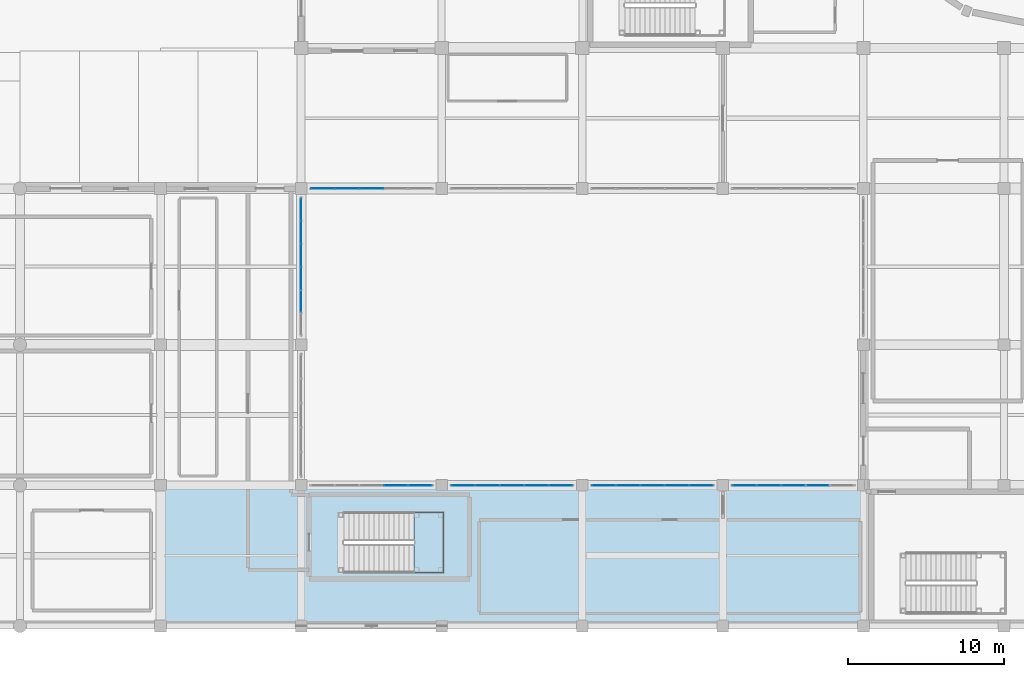
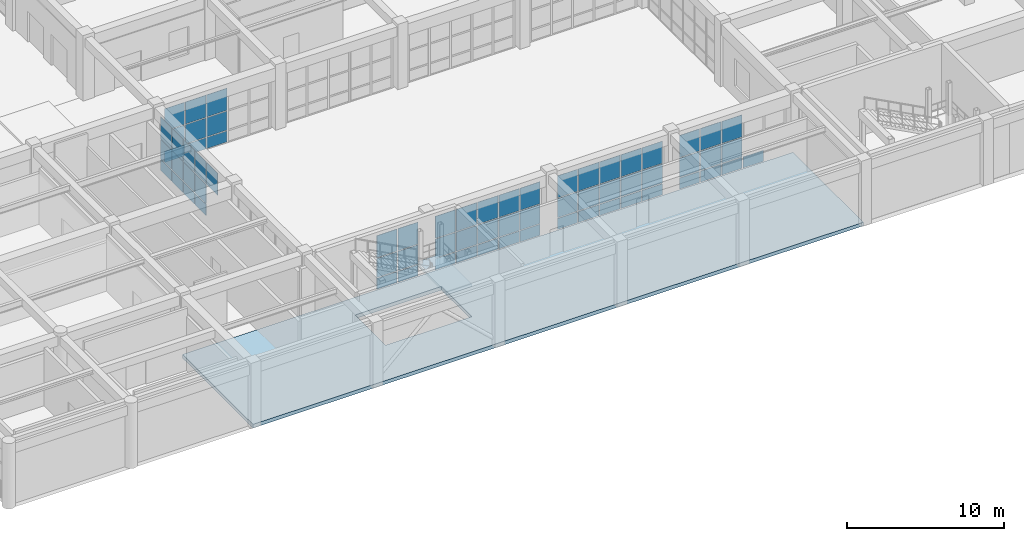
# One storey, part 85 of 128: 68 plates, 2 slabs, 7 elements without a shape of their own.
"""IFC4 building model written with IfcOpenShell, lengths in metres."""

from ifc_helpers import new_model, si_unit, direction, frame, origin, origin_2d, place, context, subcontext, project, spatial, polyline, rectangle, outline, extrude, material, layer, layer_set, type_object, element, aggregate, save


model = new_model("IFC4")

# Units and contexts
model_context = context("Model", 3, precision=1e-05, world=origin(), true_north=direction((0.0, 1.0)))
body_context = subcontext(model_context, "Body", "Model", "MODEL_VIEW")
ifc_project = project(units=[si_unit("LENGTHUNIT", "METRE"), si_unit("AREAUNIT", "SQUARE_METRE"), si_unit("VOLUMEUNIT", "CUBIC_METRE"), si_unit("PLANEANGLEUNIT", "RADIAN"), si_unit("MASSUNIT", "GRAM", prefix="KILO")], contexts=[model_context])

# Site, building, storey
site_placement = place(None, origin())
site = spatial("IfcSite", under=ifc_project, at=site_placement, CompositionType="ELEMENT")
building_placement = place(site_placement, origin())
building = spatial("IfcBuilding", under=site, at=building_placement, Name="Miravela Opera House", CompositionType="ELEMENT")
storey_placement = place(building_placement, origin())
storey = spatial("IfcBuildingStorey", under=building, at=storey_placement, Name="L00", CompositionType="ELEMENT", Elevation=0.0)

# Curtain wall, plates
ifc_material_1 = material(Name="Anodised architectural bronze aluminium 6063-T6", Category="aluminium")
curtain_wall_type = type_object("IfcCurtainWallType", Name="ARC-CW-06", PredefinedType="NOTDEFINED", material=ifc_material_1)
curtain_wall_1_placement = place(storey_placement, origin())
curtain_wall_1 = element("IfcCurtainWall", 1, at=curtain_wall_1_placement, inside=storey, type_object=curtain_wall_type, Name="Courtyard Arcade Curtain Wall CW-L00-113", PredefinedType="NOTDEFINED")
ifc_material_2 = material(Name="Acoustic laminated low-E insulating glass", Category="glass")
ifc_layer_1 = layer(ifc_material_2, 0.028076171875)
ifc_layer_set_1 = layer_set([ifc_layer_1])
plate_type = type_object("IfcPlateType", Name="ARC-CWP-28", PredefinedType="CURTAIN_PANEL", material=ifc_layer_set_1)
plate_1_placement = place(storey_placement, frame((28.37890625, 28.0, 0.06005859375), z_axis=(0.0, 0.0, 1.0), x_axis=(1.0, 0.0, 0.0)))
plate_1 = element("IfcPlate", 2, at=plate_1_placement, type_object=plate_type, Name="CW-06 panel 1.1", PredefinedType="CURTAIN_PANEL", context=body_context, shape_type="SweptSolid", body=[
    extrude(rectangle(XDim=1.47802734375, YDim=0.028076171875, at=origin_2d()), origin(), (0.0, 0.0, 1.0), 0.860107421875),
])
plate_2_placement = place(storey_placement, frame((28.37890625, 28.0, 0.97998046875), z_axis=(0.0, 0.0, 1.0), x_axis=(1.0, 0.0, 0.0)))
plate_2 = element("IfcPlate", 3, at=plate_2_placement, type_object=plate_type, Name="CW-06 panel 1.2", PredefinedType="CURTAIN_PANEL", context=body_context, shape_type="SweptSolid", body=[
    extrude(rectangle(XDim=1.47802734375, YDim=0.028076171875, at=origin_2d()), origin(), (0.0, 0.0, 1.0), 1.48388671875),
])
plate_3_placement = place(storey_placement, frame((28.37890625, 28.0, 2.52392578125), z_axis=(0.0, 0.0, 1.0), x_axis=(1.0, 0.0, 0.0)))
plate_3 = element("IfcPlate", 4, at=plate_3_placement, type_object=plate_type, Name="CW-06 panel 1.3", PredefinedType="CURTAIN_PANEL", context=body_context, shape_type="SweptSolid", body=[
    extrude(rectangle(XDim=1.47802734375, YDim=0.028076171875, at=origin_2d()), origin(), (0.0, 0.0, 1.0), 1.716064453125),
])
plate_4_placement = place(storey_placement, frame((29.931884765625, 28.0, 0.06005859375), z_axis=(0.0, 0.0, 1.0), x_axis=(1.0, 0.0, 0.0)))
plate_4 = element("IfcPlate", 5, at=plate_4_placement, type_object=plate_type, Name="CW-06 panel 2.1", PredefinedType="CURTAIN_PANEL", context=body_context, shape_type="SweptSolid", body=[
    extrude(rectangle(XDim=1.508056640625, YDim=0.028076171875, at=origin_2d()), origin(), (0.0, 0.0, 1.0), 0.860107421875),
])
plate_5_placement = place(storey_placement, frame((29.931884765625, 28.0, 0.97998046875), z_axis=(0.0, 0.0, 1.0), x_axis=(1.0, 0.0, 0.0)))
plate_5 = element("IfcPlate", 6, at=plate_5_placement, type_object=plate_type, Name="CW-06 panel 2.2", PredefinedType="CURTAIN_PANEL", context=body_context, shape_type="SweptSolid", body=[
    extrude(rectangle(XDim=1.508056640625, YDim=0.028076171875, at=origin_2d()), origin(), (0.0, 0.0, 1.0), 1.48388671875),
])
plate_6_placement = place(storey_placement, frame((29.931884765625, 28.0, 2.52392578125), z_axis=(0.0, 0.0, 1.0), x_axis=(1.0, 0.0, 0.0)))
plate_6 = element("IfcPlate", 7, at=plate_6_placement, type_object=plate_type, Name="CW-06 panel 2.3", PredefinedType="CURTAIN_PANEL", context=body_context, shape_type="SweptSolid", body=[
    extrude(rectangle(XDim=1.508056640625, YDim=0.028076171875, at=origin_2d()), origin(), (0.0, 0.0, 1.0), 1.716064453125),
])
plate_7_placement = place(storey_placement, frame((31.5, 28.0, 0.06005859375), z_axis=(0.0, 0.0, 1.0), x_axis=(1.0, 0.0, 0.0)))
plate_7 = element("IfcPlate", 8, at=plate_7_placement, type_object=plate_type, Name="CW-06 panel 3.1", PredefinedType="CURTAIN_PANEL", context=body_context, shape_type="SweptSolid", body=[
    extrude(rectangle(XDim=1.508056640625, YDim=0.028076171875, at=origin_2d()), origin(), (0.0, 0.0, 1.0), 0.860107421875),
])
plate_8_placement = place(storey_placement, frame((31.5, 28.0, 0.97998046875), z_axis=(0.0, 0.0, 1.0), x_axis=(1.0, 0.0, 0.0)))
plate_8 = element("IfcPlate", 9, at=plate_8_placement, type_object=plate_type, Name="CW-06 panel 3.2", PredefinedType="CURTAIN_PANEL", context=body_context, shape_type="SweptSolid", body=[
    extrude(rectangle(XDim=1.508056640625, YDim=0.028076171875, at=origin_2d()), origin(), (0.0, 0.0, 1.0), 1.48388671875),
])
plate_9_placement = place(storey_placement, frame((31.5, 28.0, 2.52392578125), z_axis=(0.0, 0.0, 1.0), x_axis=(1.0, 0.0, 0.0)))
plate_9 = element("IfcPlate", 10, at=plate_9_placement, type_object=plate_type, Name="CW-06 panel 3.3", PredefinedType="CURTAIN_PANEL", context=body_context, shape_type="SweptSolid", body=[
    extrude(rectangle(XDim=1.508056640625, YDim=0.028076171875, at=origin_2d()), origin(), (0.0, 0.0, 1.0), 1.716064453125),
])
aggregate(curtain_wall_1, [plate_1, plate_2, plate_3, plate_4, plate_5, plate_6, plate_7, plate_8, plate_9])

curtain_wall_2_placement = place(storey_placement, origin())
curtain_wall_2 = element("IfcCurtainWall", 11, at=curtain_wall_2_placement, inside=storey, type_object=curtain_wall_type, Name="Courtyard Arcade Curtain Wall CW-L00-114", PredefinedType="NOTDEFINED")
plate_10_placement = place(storey_placement, frame((33.068115234375, 9.0, 0.06005859375), z_axis=(0.0, 0.0, 1.0), x_axis=(1.0, 0.0, 0.0)))
plate_10 = element("IfcPlate", 12, at=plate_10_placement, type_object=plate_type, Name="CW-06 panel 4.1", PredefinedType="CURTAIN_PANEL", context=body_context, shape_type="SweptSolid", body=[
    extrude(rectangle(XDim=1.508056640625, YDim=0.028076171875, at=origin_2d()), origin(), (0.0, 0.0, 1.0), 0.860107421875),
])
plate_11_placement = place(storey_placement, frame((33.068115234375, 9.0, 0.97998046875), z_axis=(0.0, 0.0, 1.0), x_axis=(1.0, 0.0, 0.0)))
plate_11 = element("IfcPlate", 13, at=plate_11_placement, type_object=plate_type, Name="CW-06 panel 4.2", PredefinedType="CURTAIN_PANEL", context=body_context, shape_type="SweptSolid", body=[
    extrude(rectangle(XDim=1.508056640625, YDim=0.028076171875, at=origin_2d()), origin(), (0.0, 0.0, 1.0), 1.48388671875),
])
plate_12_placement = place(storey_placement, frame((33.068115234375, 9.0, 2.52392578125), z_axis=(0.0, 0.0, 1.0), x_axis=(1.0, 0.0, 0.0)))
plate_12 = element("IfcPlate", 14, at=plate_12_placement, type_object=plate_type, Name="CW-06 panel 4.3", PredefinedType="CURTAIN_PANEL", context=body_context, shape_type="SweptSolid", body=[
    extrude(rectangle(XDim=1.508056640625, YDim=0.028076171875, at=origin_2d()), origin(), (0.0, 0.0, 1.0), 1.716064453125),
])
plate_13_placement = place(storey_placement, frame((34.62109375, 9.0, 0.06005859375), z_axis=(0.0, 0.0, 1.0), x_axis=(1.0, 0.0, 0.0)))
plate_13 = element("IfcPlate", 15, at=plate_13_placement, type_object=plate_type, Name="CW-06 panel 5.1", PredefinedType="CURTAIN_PANEL", context=body_context, shape_type="SweptSolid", body=[
    extrude(rectangle(XDim=1.47802734375, YDim=0.028076171875, at=origin_2d()), origin(), (0.0, 0.0, 1.0), 0.860107421875),
])
plate_14_placement = place(storey_placement, frame((34.62109375, 9.0, 0.97998046875), z_axis=(0.0, 0.0, 1.0), x_axis=(1.0, 0.0, 0.0)))
plate_14 = element("IfcPlate", 16, at=plate_14_placement, type_object=plate_type, Name="CW-06 panel 5.2", PredefinedType="CURTAIN_PANEL", context=body_context, shape_type="SweptSolid", body=[
    extrude(rectangle(XDim=1.47802734375, YDim=0.028076171875, at=origin_2d()), origin(), (0.0, 0.0, 1.0), 1.48388671875),
])
plate_15_placement = place(storey_placement, frame((34.62109375, 9.0, 2.52392578125), z_axis=(0.0, 0.0, 1.0), x_axis=(1.0, 0.0, 0.0)))
plate_15 = element("IfcPlate", 17, at=plate_15_placement, type_object=plate_type, Name="CW-06 panel 5.3", PredefinedType="CURTAIN_PANEL", context=body_context, shape_type="SweptSolid", body=[
    extrude(rectangle(XDim=1.47802734375, YDim=0.028076171875, at=origin_2d()), origin(), (0.0, 0.0, 1.0), 1.716064453125),
])
aggregate(curtain_wall_2, [plate_10, plate_11, plate_12, plate_13, plate_14, plate_15])

curtain_wall_3_placement = place(storey_placement, origin())
curtain_wall_3 = element("IfcCurtainWall", 18, at=curtain_wall_3_placement, inside=storey, type_object=curtain_wall_type, Name="Courtyard Arcade Curtain Wall CW-L00-116", PredefinedType="NOTDEFINED")
plate_16_placement = place(storey_placement, frame((37.37890625, 9.0, 0.06005859375), z_axis=(0.0, 0.0, 1.0), x_axis=(1.0, 0.0, 0.0)))
plate_16 = element("IfcPlate", 19, at=plate_16_placement, type_object=plate_type, Name="CW-06 panel 1.1", PredefinedType="CURTAIN_PANEL", context=body_context, shape_type="SweptSolid", body=[
    extrude(rectangle(XDim=1.47802734375, YDim=0.028076171875, at=origin_2d()), origin(), (0.0, 0.0, 1.0), 0.860107421875),
])
plate_17_placement = place(storey_placement, frame((37.37890625, 9.0, 0.97998046875), z_axis=(0.0, 0.0, 1.0), x_axis=(1.0, 0.0, 0.0)))
plate_17 = element("IfcPlate", 20, at=plate_17_placement, type_object=plate_type, Name="CW-06 panel 1.2", PredefinedType="CURTAIN_PANEL", context=body_context, shape_type="SweptSolid", body=[
    extrude(rectangle(XDim=1.47802734375, YDim=0.028076171875, at=origin_2d()), origin(), (0.0, 0.0, 1.0), 1.48388671875),
])
plate_18_placement = place(storey_placement, frame((37.37890625, 9.0, 2.52392578125), z_axis=(0.0, 0.0, 1.0), x_axis=(1.0, 0.0, 0.0)))
plate_18 = element("IfcPlate", 21, at=plate_18_placement, type_object=plate_type, Name="CW-06 panel 1.3", PredefinedType="CURTAIN_PANEL", context=body_context, shape_type="SweptSolid", body=[
    extrude(rectangle(XDim=1.47802734375, YDim=0.028076171875, at=origin_2d()), origin(), (0.0, 0.0, 1.0), 1.716064453125),
])
plate_19_placement = place(storey_placement, frame((38.931884765625, 9.0, 0.06005859375), z_axis=(0.0, 0.0, 1.0), x_axis=(1.0, 0.0, 0.0)))
plate_19 = element("IfcPlate", 22, at=plate_19_placement, type_object=plate_type, Name="CW-06 panel 2.1", PredefinedType="CURTAIN_PANEL", context=body_context, shape_type="SweptSolid", body=[
    extrude(rectangle(XDim=1.508056640625, YDim=0.028076171875, at=origin_2d()), origin(), (0.0, 0.0, 1.0), 0.860107421875),
])
plate_20_placement = place(storey_placement, frame((38.931884765625, 9.0, 0.97998046875), z_axis=(0.0, 0.0, 1.0), x_axis=(1.0, 0.0, 0.0)))
plate_20 = element("IfcPlate", 23, at=plate_20_placement, type_object=plate_type, Name="CW-06 panel 2.2", PredefinedType="CURTAIN_PANEL", context=body_context, shape_type="SweptSolid", body=[
    extrude(rectangle(XDim=1.508056640625, YDim=0.028076171875, at=origin_2d()), origin(), (0.0, 0.0, 1.0), 1.48388671875),
])
plate_21_placement = place(storey_placement, frame((38.931884765625, 9.0, 2.52392578125), z_axis=(0.0, 0.0, 1.0), x_axis=(1.0, 0.0, 0.0)))
plate_21 = element("IfcPlate", 24, at=plate_21_placement, type_object=plate_type, Name="CW-06 panel 2.3", PredefinedType="CURTAIN_PANEL", context=body_context, shape_type="SweptSolid", body=[
    extrude(rectangle(XDim=1.508056640625, YDim=0.028076171875, at=origin_2d()), origin(), (0.0, 0.0, 1.0), 1.716064453125),
])
plate_22_placement = place(storey_placement, frame((40.5, 9.0, 0.06005859375), z_axis=(0.0, 0.0, 1.0), x_axis=(1.0, 0.0, 0.0)))
plate_22 = element("IfcPlate", 25, at=plate_22_placement, type_object=plate_type, Name="CW-06 panel 3.1", PredefinedType="CURTAIN_PANEL", context=body_context, shape_type="SweptSolid", body=[
    extrude(rectangle(XDim=1.508056640625, YDim=0.028076171875, at=origin_2d()), origin(), (0.0, 0.0, 1.0), 0.860107421875),
])
plate_23_placement = place(storey_placement, frame((40.5, 9.0, 0.97998046875), z_axis=(0.0, 0.0, 1.0), x_axis=(1.0, 0.0, 0.0)))
plate_23 = element("IfcPlate", 26, at=plate_23_placement, type_object=plate_type, Name="CW-06 panel 3.2", PredefinedType="CURTAIN_PANEL", context=body_context, shape_type="SweptSolid", body=[
    extrude(rectangle(XDim=1.508056640625, YDim=0.028076171875, at=origin_2d()), origin(), (0.0, 0.0, 1.0), 1.48388671875),
])
plate_24_placement = place(storey_placement, frame((40.5, 9.0, 2.52392578125), z_axis=(0.0, 0.0, 1.0), x_axis=(1.0, 0.0, 0.0)))
plate_24 = element("IfcPlate", 27, at=plate_24_placement, type_object=plate_type, Name="CW-06 panel 3.3", PredefinedType="CURTAIN_PANEL", context=body_context, shape_type="SweptSolid", body=[
    extrude(rectangle(XDim=1.508056640625, YDim=0.028076171875, at=origin_2d()), origin(), (0.0, 0.0, 1.0), 1.716064453125),
])
plate_25_placement = place(storey_placement, frame((42.068115234375, 9.0, 0.06005859375), z_axis=(0.0, 0.0, 1.0), x_axis=(1.0, 0.0, 0.0)))
plate_25 = element("IfcPlate", 28, at=plate_25_placement, type_object=plate_type, Name="CW-06 panel 4.1", PredefinedType="CURTAIN_PANEL", context=body_context, shape_type="SweptSolid", body=[
    extrude(rectangle(XDim=1.508056640625, YDim=0.028076171875, at=origin_2d()), origin(), (0.0, 0.0, 1.0), 0.860107421875),
])
plate_26_placement = place(storey_placement, frame((42.068115234375, 9.0, 0.97998046875), z_axis=(0.0, 0.0, 1.0), x_axis=(1.0, 0.0, 0.0)))
plate_26 = element("IfcPlate", 29, at=plate_26_placement, type_object=plate_type, Name="CW-06 panel 4.2", PredefinedType="CURTAIN_PANEL", context=body_context, shape_type="SweptSolid", body=[
    extrude(rectangle(XDim=1.508056640625, YDim=0.028076171875, at=origin_2d()), origin(), (0.0, 0.0, 1.0), 1.48388671875),
])
plate_27_placement = place(storey_placement, frame((42.068115234375, 9.0, 2.52392578125), z_axis=(0.0, 0.0, 1.0), x_axis=(1.0, 0.0, 0.0)))
plate_27 = element("IfcPlate", 30, at=plate_27_placement, type_object=plate_type, Name="CW-06 panel 4.3", PredefinedType="CURTAIN_PANEL", context=body_context, shape_type="SweptSolid", body=[
    extrude(rectangle(XDim=1.508056640625, YDim=0.028076171875, at=origin_2d()), origin(), (0.0, 0.0, 1.0), 1.716064453125),
])
plate_28_placement = place(storey_placement, frame((43.62109375, 9.0, 0.06005859375), z_axis=(0.0, 0.0, 1.0), x_axis=(1.0, 0.0, 0.0)))
plate_28 = element("IfcPlate", 31, at=plate_28_placement, type_object=plate_type, Name="CW-06 panel 5.1", PredefinedType="CURTAIN_PANEL", context=body_context, shape_type="SweptSolid", body=[
    extrude(rectangle(XDim=1.47802734375, YDim=0.028076171875, at=origin_2d()), origin(), (0.0, 0.0, 1.0), 0.860107421875),
])
plate_29_placement = place(storey_placement, frame((43.62109375, 9.0, 0.97998046875), z_axis=(0.0, 0.0, 1.0), x_axis=(1.0, 0.0, 0.0)))
plate_29 = element("IfcPlate", 32, at=plate_29_placement, type_object=plate_type, Name="CW-06 panel 5.2", PredefinedType="CURTAIN_PANEL", context=body_context, shape_type="SweptSolid", body=[
    extrude(rectangle(XDim=1.47802734375, YDim=0.028076171875, at=origin_2d()), origin(), (0.0, 0.0, 1.0), 1.48388671875),
])
plate_30_placement = place(storey_placement, frame((43.62109375, 9.0, 2.52392578125), z_axis=(0.0, 0.0, 1.0), x_axis=(1.0, 0.0, 0.0)))
plate_30 = element("IfcPlate", 33, at=plate_30_placement, type_object=plate_type, Name="CW-06 panel 5.3", PredefinedType="CURTAIN_PANEL", context=body_context, shape_type="SweptSolid", body=[
    extrude(rectangle(XDim=1.47802734375, YDim=0.028076171875, at=origin_2d()), origin(), (0.0, 0.0, 1.0), 1.716064453125),
])
aggregate(curtain_wall_3, [plate_16, plate_17, plate_18, plate_19, plate_20, plate_21, plate_22, plate_23, plate_24, plate_25, plate_26, plate_27, plate_28, plate_29, plate_30])

curtain_wall_4_placement = place(storey_placement, origin())
curtain_wall_4 = element("IfcCurtainWall", 34, at=curtain_wall_4_placement, inside=storey, type_object=curtain_wall_type, Name="Courtyard Arcade Curtain Wall CW-L00-118", PredefinedType="NOTDEFINED")
plate_31_placement = place(storey_placement, frame((46.37890625, 9.0, 0.06005859375), z_axis=(0.0, 0.0, 1.0), x_axis=(1.0, 0.0, 0.0)))
plate_31 = element("IfcPlate", 35, at=plate_31_placement, type_object=plate_type, Name="CW-06 panel 1.1", PredefinedType="CURTAIN_PANEL", context=body_context, shape_type="SweptSolid", body=[
    extrude(rectangle(XDim=1.47802734375, YDim=0.028076171875, at=origin_2d()), origin(), (0.0, 0.0, 1.0), 0.860107421875),
])
plate_32_placement = place(storey_placement, frame((46.37890625, 9.0, 0.97998046875), z_axis=(0.0, 0.0, 1.0), x_axis=(1.0, 0.0, 0.0)))
plate_32 = element("IfcPlate", 36, at=plate_32_placement, type_object=plate_type, Name="CW-06 panel 1.2", PredefinedType="CURTAIN_PANEL", context=body_context, shape_type="SweptSolid", body=[
    extrude(rectangle(XDim=1.47802734375, YDim=0.028076171875, at=origin_2d()), origin(), (0.0, 0.0, 1.0), 1.48388671875),
])
plate_33_placement = place(storey_placement, frame((46.37890625, 9.0, 2.52392578125), z_axis=(0.0, 0.0, 1.0), x_axis=(1.0, 0.0, 0.0)))
plate_33 = element("IfcPlate", 37, at=plate_33_placement, type_object=plate_type, Name="CW-06 panel 1.3", PredefinedType="CURTAIN_PANEL", context=body_context, shape_type="SweptSolid", body=[
    extrude(rectangle(XDim=1.47802734375, YDim=0.028076171875, at=origin_2d()), origin(), (0.0, 0.0, 1.0), 1.716064453125),
])
plate_34_placement = place(storey_placement, frame((47.931884765625, 9.0, 0.06005859375), z_axis=(0.0, 0.0, 1.0), x_axis=(1.0, 0.0, 0.0)))
plate_34 = element("IfcPlate", 38, at=plate_34_placement, type_object=plate_type, Name="CW-06 panel 2.1", PredefinedType="CURTAIN_PANEL", context=body_context, shape_type="SweptSolid", body=[
    extrude(rectangle(XDim=1.508056640625, YDim=0.028076171875, at=origin_2d()), origin(), (0.0, 0.0, 1.0), 0.860107421875),
])
plate_35_placement = place(storey_placement, frame((47.931884765625, 9.0, 0.97998046875), z_axis=(0.0, 0.0, 1.0), x_axis=(1.0, 0.0, 0.0)))
plate_35 = element("IfcPlate", 39, at=plate_35_placement, type_object=plate_type, Name="CW-06 panel 2.2", PredefinedType="CURTAIN_PANEL", context=body_context, shape_type="SweptSolid", body=[
    extrude(rectangle(XDim=1.508056640625, YDim=0.028076171875, at=origin_2d()), origin(), (0.0, 0.0, 1.0), 1.48388671875),
])
plate_36_placement = place(storey_placement, frame((47.931884765625, 9.0, 2.52392578125), z_axis=(0.0, 0.0, 1.0), x_axis=(1.0, 0.0, 0.0)))
plate_36 = element("IfcPlate", 40, at=plate_36_placement, type_object=plate_type, Name="CW-06 panel 2.3", PredefinedType="CURTAIN_PANEL", context=body_context, shape_type="SweptSolid", body=[
    extrude(rectangle(XDim=1.508056640625, YDim=0.028076171875, at=origin_2d()), origin(), (0.0, 0.0, 1.0), 1.716064453125),
])
plate_37_placement = place(storey_placement, frame((49.5, 9.0, 0.06005859375), z_axis=(0.0, 0.0, 1.0), x_axis=(1.0, 0.0, 0.0)))
plate_37 = element("IfcPlate", 41, at=plate_37_placement, type_object=plate_type, Name="CW-06 panel 3.1", PredefinedType="CURTAIN_PANEL", context=body_context, shape_type="SweptSolid", body=[
    extrude(rectangle(XDim=1.508056640625, YDim=0.028076171875, at=origin_2d()), origin(), (0.0, 0.0, 1.0), 0.860107421875),
])
plate_38_placement = place(storey_placement, frame((49.5, 9.0, 0.97998046875), z_axis=(0.0, 0.0, 1.0), x_axis=(1.0, 0.0, 0.0)))
plate_38 = element("IfcPlate", 42, at=plate_38_placement, type_object=plate_type, Name="CW-06 panel 3.2", PredefinedType="CURTAIN_PANEL", context=body_context, shape_type="SweptSolid", body=[
    extrude(rectangle(XDim=1.508056640625, YDim=0.028076171875, at=origin_2d()), origin(), (0.0, 0.0, 1.0), 1.48388671875),
])
plate_39_placement = place(storey_placement, frame((49.5, 9.0, 2.52392578125), z_axis=(0.0, 0.0, 1.0), x_axis=(1.0, 0.0, 0.0)))
plate_39 = element("IfcPlate", 43, at=plate_39_placement, type_object=plate_type, Name="CW-06 panel 3.3", PredefinedType="CURTAIN_PANEL", context=body_context, shape_type="SweptSolid", body=[
    extrude(rectangle(XDim=1.508056640625, YDim=0.028076171875, at=origin_2d()), origin(), (0.0, 0.0, 1.0), 1.716064453125),
])
plate_40_placement = place(storey_placement, frame((51.068115234375, 9.0, 0.06005859375), z_axis=(0.0, 0.0, 1.0), x_axis=(1.0, 0.0, 0.0)))
plate_40 = element("IfcPlate", 44, at=plate_40_placement, type_object=plate_type, Name="CW-06 panel 4.1", PredefinedType="CURTAIN_PANEL", context=body_context, shape_type="SweptSolid", body=[
    extrude(rectangle(XDim=1.508056640625, YDim=0.028076171875, at=origin_2d()), origin(), (0.0, 0.0, 1.0), 0.860107421875),
])
plate_41_placement = place(storey_placement, frame((51.068115234375, 9.0, 0.97998046875), z_axis=(0.0, 0.0, 1.0), x_axis=(1.0, 0.0, 0.0)))
plate_41 = element("IfcPlate", 45, at=plate_41_placement, type_object=plate_type, Name="CW-06 panel 4.2", PredefinedType="CURTAIN_PANEL", context=body_context, shape_type="SweptSolid", body=[
    extrude(rectangle(XDim=1.508056640625, YDim=0.028076171875, at=origin_2d()), origin(), (0.0, 0.0, 1.0), 1.48388671875),
])
plate_42_placement = place(storey_placement, frame((51.068115234375, 9.0, 2.52392578125), z_axis=(0.0, 0.0, 1.0), x_axis=(1.0, 0.0, 0.0)))
plate_42 = element("IfcPlate", 46, at=plate_42_placement, type_object=plate_type, Name="CW-06 panel 4.3", PredefinedType="CURTAIN_PANEL", context=body_context, shape_type="SweptSolid", body=[
    extrude(rectangle(XDim=1.508056640625, YDim=0.028076171875, at=origin_2d()), origin(), (0.0, 0.0, 1.0), 1.716064453125),
])
plate_43_placement = place(storey_placement, frame((52.62109375, 9.0, 0.06005859375), z_axis=(0.0, 0.0, 1.0), x_axis=(1.0, 0.0, 0.0)))
plate_43 = element("IfcPlate", 47, at=plate_43_placement, type_object=plate_type, Name="CW-06 panel 5.1", PredefinedType="CURTAIN_PANEL", context=body_context, shape_type="SweptSolid", body=[
    extrude(rectangle(XDim=1.47802734375, YDim=0.028076171875, at=origin_2d()), origin(), (0.0, 0.0, 1.0), 0.860107421875),
])
plate_44_placement = place(storey_placement, frame((52.62109375, 9.0, 0.97998046875), z_axis=(0.0, 0.0, 1.0), x_axis=(1.0, 0.0, 0.0)))
plate_44 = element("IfcPlate", 48, at=plate_44_placement, type_object=plate_type, Name="CW-06 panel 5.2", PredefinedType="CURTAIN_PANEL", context=body_context, shape_type="SweptSolid", body=[
    extrude(rectangle(XDim=1.47802734375, YDim=0.028076171875, at=origin_2d()), origin(), (0.0, 0.0, 1.0), 1.48388671875),
])
plate_45_placement = place(storey_placement, frame((52.62109375, 9.0, 2.52392578125), z_axis=(0.0, 0.0, 1.0), x_axis=(1.0, 0.0, 0.0)))
plate_45 = element("IfcPlate", 49, at=plate_45_placement, type_object=plate_type, Name="CW-06 panel 5.3", PredefinedType="CURTAIN_PANEL", context=body_context, shape_type="SweptSolid", body=[
    extrude(rectangle(XDim=1.47802734375, YDim=0.028076171875, at=origin_2d()), origin(), (0.0, 0.0, 1.0), 1.716064453125),
])
aggregate(curtain_wall_4, [plate_31, plate_32, plate_33, plate_34, plate_35, plate_36, plate_37, plate_38, plate_39, plate_40, plate_41, plate_42, plate_43, plate_44, plate_45])

curtain_wall_5_placement = place(storey_placement, origin())
curtain_wall_5 = element("IfcCurtainWall", 50, at=curtain_wall_5_placement, inside=storey, type_object=curtain_wall_type, Name="Courtyard Arcade Curtain Wall CW-L00-120", PredefinedType="NOTDEFINED")
plate_46_placement = place(storey_placement, frame((55.37890625, 9.0, 0.06005859375), z_axis=(0.0, 0.0, 1.0), x_axis=(1.0, 0.0, 0.0)))
plate_46 = element("IfcPlate", 51, at=plate_46_placement, type_object=plate_type, Name="CW-06 panel 1.1", PredefinedType="CURTAIN_PANEL", context=body_context, shape_type="SweptSolid", body=[
    extrude(rectangle(XDim=1.47802734375, YDim=0.028076171875, at=origin_2d()), origin(), (0.0, 0.0, 1.0), 0.860107421875),
])
plate_47_placement = place(storey_placement, frame((55.37890625, 9.0, 0.97998046875), z_axis=(0.0, 0.0, 1.0), x_axis=(1.0, 0.0, 0.0)))
plate_47 = element("IfcPlate", 52, at=plate_47_placement, type_object=plate_type, Name="CW-06 panel 1.2", PredefinedType="CURTAIN_PANEL", context=body_context, shape_type="SweptSolid", body=[
    extrude(rectangle(XDim=1.47802734375, YDim=0.028076171875, at=origin_2d()), origin(), (0.0, 0.0, 1.0), 1.48388671875),
])
plate_48_placement = place(storey_placement, frame((55.37890625, 9.0, 2.52392578125), z_axis=(0.0, 0.0, 1.0), x_axis=(1.0, 0.0, 0.0)))
plate_48 = element("IfcPlate", 53, at=plate_48_placement, type_object=plate_type, Name="CW-06 panel 1.3", PredefinedType="CURTAIN_PANEL", context=body_context, shape_type="SweptSolid", body=[
    extrude(rectangle(XDim=1.47802734375, YDim=0.028076171875, at=origin_2d()), origin(), (0.0, 0.0, 1.0), 1.716064453125),
])
plate_49_placement = place(storey_placement, frame((56.931884765625, 9.0, 0.06005859375), z_axis=(0.0, 0.0, 1.0), x_axis=(1.0, 0.0, 0.0)))
plate_49 = element("IfcPlate", 54, at=plate_49_placement, type_object=plate_type, Name="CW-06 panel 2.1", PredefinedType="CURTAIN_PANEL", context=body_context, shape_type="SweptSolid", body=[
    extrude(rectangle(XDim=1.508056640625, YDim=0.028076171875, at=origin_2d()), origin(), (0.0, 0.0, 1.0), 0.860107421875),
])
plate_50_placement = place(storey_placement, frame((56.931884765625, 9.0, 0.97998046875), z_axis=(0.0, 0.0, 1.0), x_axis=(1.0, 0.0, 0.0)))
plate_50 = element("IfcPlate", 55, at=plate_50_placement, type_object=plate_type, Name="CW-06 panel 2.2", PredefinedType="CURTAIN_PANEL", context=body_context, shape_type="SweptSolid", body=[
    extrude(rectangle(XDim=1.508056640625, YDim=0.028076171875, at=origin_2d()), origin(), (0.0, 0.0, 1.0), 1.48388671875),
])
plate_51_placement = place(storey_placement, frame((56.931884765625, 9.0, 2.52392578125), z_axis=(0.0, 0.0, 1.0), x_axis=(1.0, 0.0, 0.0)))
plate_51 = element("IfcPlate", 56, at=plate_51_placement, type_object=plate_type, Name="CW-06 panel 2.3", PredefinedType="CURTAIN_PANEL", context=body_context, shape_type="SweptSolid", body=[
    extrude(rectangle(XDim=1.508056640625, YDim=0.028076171875, at=origin_2d()), origin(), (0.0, 0.0, 1.0), 1.716064453125),
])
plate_52_placement = place(storey_placement, frame((58.5, 9.0, 0.06005859375), z_axis=(0.0, 0.0, 1.0), x_axis=(1.0, 0.0, 0.0)))
plate_52 = element("IfcPlate", 57, at=plate_52_placement, type_object=plate_type, Name="CW-06 panel 3.1", PredefinedType="CURTAIN_PANEL", context=body_context, shape_type="SweptSolid", body=[
    extrude(rectangle(XDim=1.508056640625, YDim=0.028076171875, at=origin_2d()), origin(), (0.0, 0.0, 1.0), 0.860107421875),
])
plate_53_placement = place(storey_placement, frame((58.5, 9.0, 0.97998046875), z_axis=(0.0, 0.0, 1.0), x_axis=(1.0, 0.0, 0.0)))
plate_53 = element("IfcPlate", 58, at=plate_53_placement, type_object=plate_type, Name="CW-06 panel 3.2", PredefinedType="CURTAIN_PANEL", context=body_context, shape_type="SweptSolid", body=[
    extrude(rectangle(XDim=1.508056640625, YDim=0.028076171875, at=origin_2d()), origin(), (0.0, 0.0, 1.0), 1.48388671875),
])
plate_54_placement = place(storey_placement, frame((58.5, 9.0, 2.52392578125), z_axis=(0.0, 0.0, 1.0), x_axis=(1.0, 0.0, 0.0)))
plate_54 = element("IfcPlate", 59, at=plate_54_placement, type_object=plate_type, Name="CW-06 panel 3.3", PredefinedType="CURTAIN_PANEL", context=body_context, shape_type="SweptSolid", body=[
    extrude(rectangle(XDim=1.508056640625, YDim=0.028076171875, at=origin_2d()), origin(), (0.0, 0.0, 1.0), 1.716064453125),
])
plate_55_placement = place(storey_placement, frame((60.068115234375, 9.0, 0.06005859375), z_axis=(0.0, 0.0, 1.0), x_axis=(1.0, 0.0, 0.0)))
plate_55 = element("IfcPlate", 60, at=plate_55_placement, type_object=plate_type, Name="CW-06 panel 4.1", PredefinedType="CURTAIN_PANEL", context=body_context, shape_type="SweptSolid", body=[
    extrude(rectangle(XDim=1.508056640625, YDim=0.028076171875, at=origin_2d()), origin(), (0.0, 0.0, 1.0), 0.860107421875),
])
aggregate(curtain_wall_5, [plate_46, plate_47, plate_48, plate_49, plate_50, plate_51, plate_52, plate_53, plate_54, plate_55])

curtain_wall_6_placement = place(storey_placement, origin())
curtain_wall_6 = element("IfcCurtainWall", 61, at=curtain_wall_6_placement, inside=storey, type_object=curtain_wall_type, Name="Courtyard Arcade Curtain Wall CW-L00-122", PredefinedType="NOTDEFINED")
plate_56_placement = place(storey_placement, frame((27.0, 20.7900390625, 2.52392578125), z_axis=(0.0, 0.0, 1.0), x_axis=(0.0, 1.0, 0.0)))
plate_56 = element("IfcPlate", 62, at=plate_56_placement, type_object=plate_type, Name="CW-06 panel 2.3", PredefinedType="CURTAIN_PANEL", context=body_context, shape_type="SweptSolid", body=[
    extrude(rectangle(XDim=1.413330078125, YDim=0.028076171875, at=origin_2d()), origin(), (0.0, 0.0, 1.0), 1.716064453125),
])
plate_57_placement = place(storey_placement, frame((27.0, 22.263427734375, 0.06005859375), z_axis=(0.0, 0.0, 1.0), x_axis=(0.0, 1.0, 0.0)))
plate_57 = element("IfcPlate", 63, at=plate_57_placement, type_object=plate_type, Name="CW-06 panel 3.1", PredefinedType="CURTAIN_PANEL", context=body_context, shape_type="SweptSolid", body=[
    extrude(rectangle(XDim=1.413330078125, YDim=0.028076171875, at=origin_2d()), origin(), (0.0, 0.0, 1.0), 0.860107421875),
])
plate_58_placement = place(storey_placement, frame((27.0, 22.263427734375, 0.97998046875), z_axis=(0.0, 0.0, 1.0), x_axis=(0.0, 1.0, 0.0)))
plate_58 = element("IfcPlate", 64, at=plate_58_placement, type_object=plate_type, Name="CW-06 panel 3.2", PredefinedType="CURTAIN_PANEL", context=body_context, shape_type="SweptSolid", body=[
    extrude(rectangle(XDim=1.413330078125, YDim=0.028076171875, at=origin_2d()), origin(), (0.0, 0.0, 1.0), 1.48388671875),
])
plate_59_placement = place(storey_placement, frame((27.0, 22.263427734375, 2.52392578125), z_axis=(0.0, 0.0, 1.0), x_axis=(0.0, 1.0, 0.0)))
plate_59 = element("IfcPlate", 65, at=plate_59_placement, type_object=plate_type, Name="CW-06 panel 3.3", PredefinedType="CURTAIN_PANEL", context=body_context, shape_type="SweptSolid", body=[
    extrude(rectangle(XDim=1.413330078125, YDim=0.028076171875, at=origin_2d()), origin(), (0.0, 0.0, 1.0), 1.716064453125),
])
plate_60_placement = place(storey_placement, frame((27.0, 23.736572265625, 0.06005859375), z_axis=(0.0, 0.0, 1.0), x_axis=(0.0, 1.0, 0.0)))
plate_60 = element("IfcPlate", 66, at=plate_60_placement, type_object=plate_type, Name="CW-06 panel 4.1", PredefinedType="CURTAIN_PANEL", context=body_context, shape_type="SweptSolid", body=[
    extrude(rectangle(XDim=1.413330078125, YDim=0.028076171875, at=origin_2d()), origin(), (0.0, 0.0, 1.0), 0.860107421875),
])
plate_61_placement = place(storey_placement, frame((27.0, 23.736572265625, 0.97998046875), z_axis=(0.0, 0.0, 1.0), x_axis=(0.0, 1.0, 0.0)))
plate_61 = element("IfcPlate", 67, at=plate_61_placement, type_object=plate_type, Name="CW-06 panel 4.2", PredefinedType="CURTAIN_PANEL", context=body_context, shape_type="SweptSolid", body=[
    extrude(rectangle(XDim=1.413330078125, YDim=0.028076171875, at=origin_2d()), origin(), (0.0, 0.0, 1.0), 1.48388671875),
])
plate_62_placement = place(storey_placement, frame((27.0, 23.736572265625, 2.52392578125), z_axis=(0.0, 0.0, 1.0), x_axis=(0.0, 1.0, 0.0)))
plate_62 = element("IfcPlate", 68, at=plate_62_placement, type_object=plate_type, Name="CW-06 panel 4.3", PredefinedType="CURTAIN_PANEL", context=body_context, shape_type="SweptSolid", body=[
    extrude(rectangle(XDim=1.413330078125, YDim=0.028076171875, at=origin_2d()), origin(), (0.0, 0.0, 1.0), 1.716064453125),
])
plate_63_placement = place(storey_placement, frame((27.0, 25.2099609375, 0.06005859375), z_axis=(0.0, 0.0, 1.0), x_axis=(0.0, 1.0, 0.0)))
plate_63 = element("IfcPlate", 69, at=plate_63_placement, type_object=plate_type, Name="CW-06 panel 5.1", PredefinedType="CURTAIN_PANEL", context=body_context, shape_type="SweptSolid", body=[
    extrude(rectangle(XDim=1.413330078125, YDim=0.028076171875, at=origin_2d()), origin(), (0.0, 0.0, 1.0), 0.860107421875),
])
plate_64_placement = place(storey_placement, frame((27.0, 25.2099609375, 0.97998046875), z_axis=(0.0, 0.0, 1.0), x_axis=(0.0, 1.0, 0.0)))
plate_64 = element("IfcPlate", 70, at=plate_64_placement, type_object=plate_type, Name="CW-06 panel 5.2", PredefinedType="CURTAIN_PANEL", context=body_context, shape_type="SweptSolid", body=[
    extrude(rectangle(XDim=1.413330078125, YDim=0.028076171875, at=origin_2d()), origin(), (0.0, 0.0, 1.0), 1.48388671875),
])
plate_65_placement = place(storey_placement, frame((27.0, 25.2099609375, 2.52392578125), z_axis=(0.0, 0.0, 1.0), x_axis=(0.0, 1.0, 0.0)))
plate_65 = element("IfcPlate", 71, at=plate_65_placement, type_object=plate_type, Name="CW-06 panel 5.3", PredefinedType="CURTAIN_PANEL", context=body_context, shape_type="SweptSolid", body=[
    extrude(rectangle(XDim=1.413330078125, YDim=0.028076171875, at=origin_2d()), origin(), (0.0, 0.0, 1.0), 1.716064453125),
])
plate_66_placement = place(storey_placement, frame((27.0, 26.668212890625, 0.06005859375), z_axis=(0.0, 0.0, 1.0), x_axis=(0.0, 1.0, 0.0)))
plate_66 = element("IfcPlate", 72, at=plate_66_placement, type_object=plate_type, Name="CW-06 panel 6.1", PredefinedType="CURTAIN_PANEL", context=body_context, shape_type="SweptSolid", body=[
    extrude(rectangle(XDim=1.38330078125, YDim=0.028076171875, at=origin_2d()), origin(), (0.0, 0.0, 1.0), 0.860107421875),
])
plate_67_placement = place(storey_placement, frame((27.0, 26.668212890625, 0.97998046875), z_axis=(0.0, 0.0, 1.0), x_axis=(0.0, 1.0, 0.0)))
plate_67 = element("IfcPlate", 73, at=plate_67_placement, type_object=plate_type, Name="CW-06 panel 6.2", PredefinedType="CURTAIN_PANEL", context=body_context, shape_type="SweptSolid", body=[
    extrude(rectangle(XDim=1.38330078125, YDim=0.028076171875, at=origin_2d()), origin(), (0.0, 0.0, 1.0), 1.48388671875),
])
plate_68_placement = place(storey_placement, frame((27.0, 26.668212890625, 2.52392578125), z_axis=(0.0, 0.0, 1.0), x_axis=(0.0, 1.0, 0.0)))
plate_68 = element("IfcPlate", 74, at=plate_68_placement, type_object=plate_type, Name="CW-06 panel 6.3", PredefinedType="CURTAIN_PANEL", context=body_context, shape_type="SweptSolid", body=[
    extrude(rectangle(XDim=1.38330078125, YDim=0.028076171875, at=origin_2d()), origin(), (0.0, 0.0, 1.0), 1.716064453125),
])
aggregate(curtain_wall_6, [plate_56, plate_57, plate_58, plate_59, plate_60, plate_61, plate_62, plate_63, plate_64, plate_65, plate_66, plate_67, plate_68])

# Stair, slab
ifc_material_3 = material(Name="Concrete C35/45", Category="concrete")
stair_type = type_object("IfcStairType", Name="ARC-STAIR-WING-1680", PredefinedType="HALF_TURN_STAIR", material=ifc_material_3)
stair_placement = place(storey_placement, origin())
stair = element("IfcStair", 75, at=stair_placement, inside=storey, type_object=stair_type, Name="L00 South Wing West Exit Stair ST-08", PredefinedType="HALF_TURN_STAIR")
ifc_layer_2 = layer(ifc_material_3, 0.215087890625)
ifc_layer_set_2 = layer_set([ifc_layer_2])
slab_type_1 = type_object("IfcSlabType", Name="ARC-LANDING-215", PredefinedType="LANDING", material=ifc_layer_set_2)
slab_1_placement = place(storey_placement, frame((0.0, 0.0, 2.3349609375)))
slab_1 = element("IfcSlab", 76, at=slab_1_placement, type_object=slab_type_1, Name="ST-08 landing 1", PredefinedType="LANDING", context=body_context, shape_type="SweptSolid", body=[
    extrude(outline(polyline([(34.219970703125, 3.39990234375), (36.10009765625, 3.39990234375), (36.10009765625, 7.280029296875), (34.219970703125, 7.280029296875), (34.219970703125, 3.39990234375)])), origin(), (0.0, 0.0, 1.0), 0.215087890625),
])
aggregate(stair, [slab_1])

# Slab
ifc_layer_3 = layer(ifc_material_3, 0.280029296875)
ifc_layer_set_3 = layer_set([ifc_layer_3])
slab_type_2 = type_object("IfcSlabType", Name="STR-SLAB-L00-280", PredefinedType="FLOOR", material=ifc_layer_set_3)
slab_2_placement = place(storey_placement, frame((0.0, 0.0, -0.280029296875)))
element("IfcSlab", 77, at=slab_2_placement, inside=storey, type_object=slab_type_2, Name="Ground Level Slab SLAB-L00-V4S", PredefinedType="FLOOR", context=body_context, shape_type="SweptSolid", body=[
    extrude(outline(polyline([(18.0, 0.0), (63.0, 0.0), (63.0, 9.0), (18.0, 9.0), (18.0, 0.0)]), holes=[polyline([(29.739990234375, 3.39990234375), (36.10009765625, 3.39990234375), (36.10009765625, 7.280029296875), (29.739990234375, 7.280029296875), (29.739990234375, 3.39990234375)])]), origin(), (0.0, 0.0, 1.0), 0.280029296875),
])

save(model, "model.ifc")
